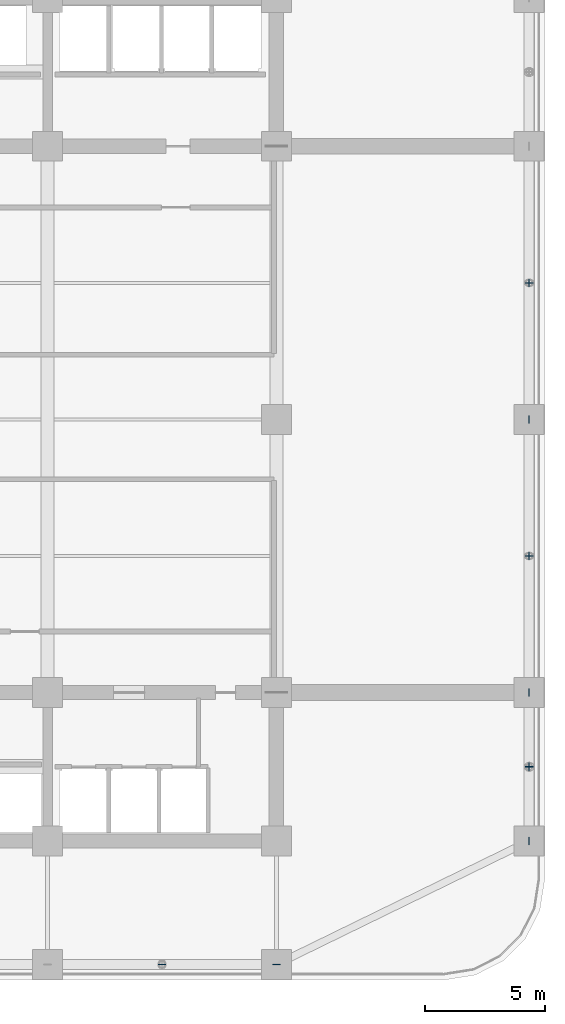
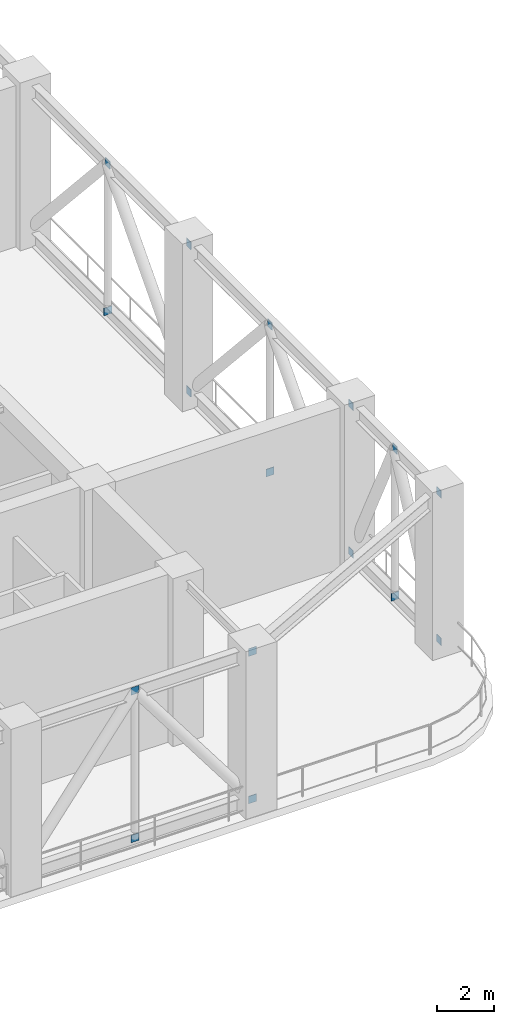
# One storey, part 15 of 20: 16 discrete accessories.
"""IFC4 building model written with IfcOpenShell, lengths in metres."""

from ifc_helpers import new_model, si_unit, direction, frame, origin, origin_2d, place, context, subcontext, project, spatial, rectangle, extrude, material, layer, layer_set, type_object, element, save


model = new_model("IFC4")

# Units and contexts
model_context = context("Model", 3, precision=1e-05, world=origin(), true_north=direction((0.0, 1.0)))
body_context = subcontext(model_context, "Body", "Model", "MODEL_VIEW")
ifc_project = project(units=[si_unit("LENGTHUNIT", "METRE"), si_unit("AREAUNIT", "SQUARE_METRE"), si_unit("VOLUMEUNIT", "CUBIC_METRE"), si_unit("PLANEANGLEUNIT", "RADIAN"), si_unit("MASSUNIT", "GRAM", prefix="KILO")], contexts=[model_context])

# Site, building, storey
site_placement = place(None, origin())
site = spatial("IfcSite", under=ifc_project, at=site_placement, CompositionType="ELEMENT")
building_placement = place(site_placement, origin())
building = spatial("IfcBuilding", under=site, at=building_placement, Name="Svetorya Sky Lyceum", CompositionType="ELEMENT")
storey_placement = place(building_placement, frame((0.0, 0.0, 76.89990234375)))
storey = spatial("IfcBuildingStorey", under=building, at=storey_placement, Name="L19", CompositionType="ELEMENT", Elevation=76.89990234375)

# Discrete accessories
ifc_material = material(Name="Steel S355", Category="steel")
ifc_layer = layer(ifc_material, 0.02392578125)
ifc_layer_set = layer_set([ifc_layer], Name="Steel S355")
discrete_accessory_type = type_object("IfcDiscreteAccessoryType", Name="ACC-GUSSET-24", PredefinedType="BRACKET", material=ifc_layer_set)
for number, where, z_axis, x_axis, name in (
    (1, (52.800048828125, 5.449951171875, 0.13525390625), (0.0, 0.0, 1.0), (1.0, 0.0, 0.0), "L19 Brace Node Gusset Plate 11"),
    (2, (52.800048828125, 5.449951171875, 6.46484375), (0.0, 0.0, 1.0), (1.0, 0.0, 0.0), "L19 Brace Node Gusset Plate 12"),
    (3, (48.02490234375, 5.449951171875, 6.46484375), (0.0, 0.0, 1.0), (1.0, 0.0, 0.0), "L19 Brace Node Gusset Plate 13"),
    (4, (48.02490234375, 5.449951171875, 0.13525390625), (0.0, 0.0, 1.0), (1.0, 0.0, 0.0), "L19 Brace Node Gusset Plate 14"),
):
    element("IfcDiscreteAccessory", number, at=place(storey_placement, frame(where, z_axis=z_axis, x_axis=x_axis)), inside=storey, type_object=discrete_accessory_type, Name=name, PredefinedType="BRACKET", context=body_context, shape_type="SweptSolid", body=[
        extrude(rectangle(XDim=0.320068359375, YDim=0.02392578125, at=origin_2d()), origin(), (0.0, 0.0, 1.0), 0.320068359375),
    ])
for number, where, z_axis, x_axis, name in (
    (5, (63.35009765625, 10.60009765625, 0.13525390625), (0.0, 0.0, 1.0), (1.0, 0.0, 0.0), "L19 Brace Node Gusset Plate 47"),
    (6, (63.35009765625, 16.800048828125, 0.13525390625), (0.0, 0.0, 1.0), (1.0, 0.0, 0.0), "L19 Brace Node Gusset Plate 48"),
    (7, (63.35009765625, 10.60009765625, 6.46484375), (0.0, 0.0, 1.0), (1.0, 0.0, 0.0), "L19 Brace Node Gusset Plate 49"),
    (8, (63.35009765625, 16.800048828125, 6.46484375), (0.0, 0.0, 1.0), (1.0, 0.0, 0.0), "L19 Brace Node Gusset Plate 50"),
    (9, (63.35009765625, 13.699951171875, 6.46484375), (0.0, 0.0, 1.0), (1.0, 0.0, 0.0), "L19 Brace Node Gusset Plate 51"),
):
    element("IfcDiscreteAccessory", number, at=place(storey_placement, frame(where, z_axis=z_axis, x_axis=x_axis)), inside=storey, type_object=discrete_accessory_type, Name=name, PredefinedType="BRACKET", context=body_context, shape_type="SweptSolid", body=[
        extrude(rectangle(XDim=0.02392578125, YDim=0.320068359375, at=origin_2d()), origin(), (0.0, 0.0, 1.0), 0.320068359375),
    ])
discrete_accessory_1_placement = place(storey_placement, frame((63.35009765625, 13.699951171875, 0.13525390625), z_axis=(0.0, 0.0, 1.0), x_axis=(1.0, 0.0, 0.0)))
element("IfcDiscreteAccessory", 10, at=discrete_accessory_1_placement, inside=storey, type_object=discrete_accessory_type, Name="L19 Brace Node Gusset Plate 52", PredefinedType="BRACKET", context=body_context, shape_type="SweptSolid", body=[
    extrude(rectangle(XDim=0.320068359375, YDim=0.02392578125, at=origin_2d()), origin(), (0.0, 0.0, 1.0), 0.320068359375),
])
for number, where, z_axis, x_axis, name in (
    (11, (63.35009765625, 28.199951171875, 0.13525390625), (0.0, 0.0, 1.0), (1.0, 0.0, 0.0), "L19 Brace Node Gusset Plate 53"),
    (12, (63.35009765625, 28.199951171875, 6.46484375), (0.0, 0.0, 1.0), (1.0, 0.0, 0.0), "L19 Brace Node Gusset Plate 54"),
    (13, (63.35009765625, 22.5, 6.46484375), (0.0, 0.0, 1.0), (1.0, 0.0, 0.0), "L19 Brace Node Gusset Plate 55"),
):
    element("IfcDiscreteAccessory", number, at=place(storey_placement, frame(where, z_axis=z_axis, x_axis=x_axis)), inside=storey, type_object=discrete_accessory_type, Name=name, PredefinedType="BRACKET", context=body_context, shape_type="SweptSolid", body=[
        extrude(rectangle(XDim=0.02392578125, YDim=0.320068359375, at=origin_2d()), origin(), (0.0, 0.0, 1.0), 0.320068359375),
    ])
discrete_accessory_2_placement = place(storey_placement, frame((63.35009765625, 22.5, 0.13525390625), z_axis=(0.0, 0.0, 1.0), x_axis=(1.0, 0.0, 0.0)))
element("IfcDiscreteAccessory", 14, at=discrete_accessory_2_placement, inside=storey, type_object=discrete_accessory_type, Name="L19 Brace Node Gusset Plate 56", PredefinedType="BRACKET", context=body_context, shape_type="SweptSolid", body=[
    extrude(rectangle(XDim=0.320068359375, YDim=0.02392578125, at=origin_2d()), origin(), (0.0, 0.0, 1.0), 0.320068359375),
])
discrete_accessory_3_placement = place(storey_placement, frame((63.35009765625, 33.89990234375, 6.46484375), z_axis=(0.0, 0.0, 1.0), x_axis=(1.0, 0.0, 0.0)))
element("IfcDiscreteAccessory", 15, at=discrete_accessory_3_placement, inside=storey, type_object=discrete_accessory_type, Name="L19 Brace Node Gusset Plate 59", PredefinedType="BRACKET", context=body_context, shape_type="SweptSolid", body=[
    extrude(rectangle(XDim=0.02392578125, YDim=0.320068359375, at=origin_2d()), origin(), (0.0, 0.0, 1.0), 0.320068359375),
])
discrete_accessory_4_placement = place(storey_placement, frame((63.35009765625, 33.89990234375, 0.13525390625), z_axis=(0.0, 0.0, 1.0), x_axis=(1.0, 0.0, 0.0)))
element("IfcDiscreteAccessory", 16, at=discrete_accessory_4_placement, inside=storey, type_object=discrete_accessory_type, Name="L19 Brace Node Gusset Plate 60", PredefinedType="BRACKET", context=body_context, shape_type="SweptSolid", body=[
    extrude(rectangle(XDim=0.320068359375, YDim=0.02392578125, at=origin_2d()), origin(), (0.0, 0.0, 1.0), 0.320068359375),
])

save(model, "model.ifc")
